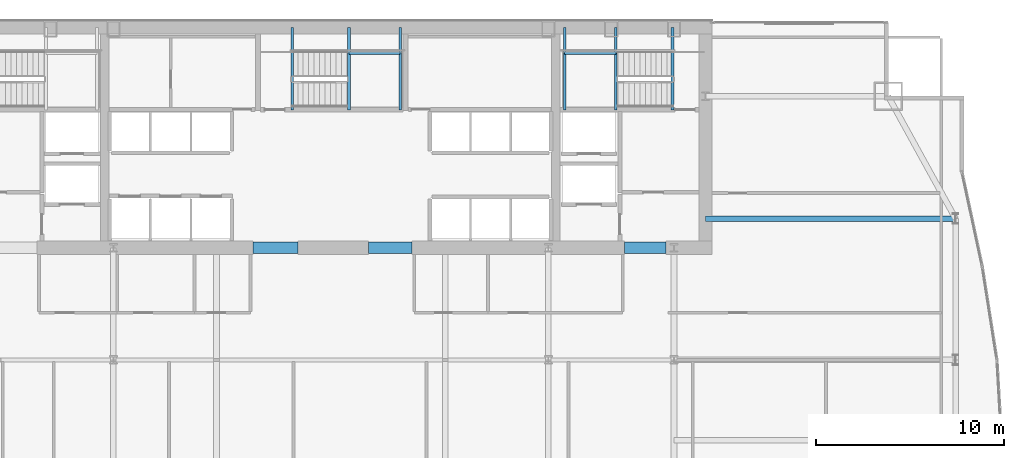
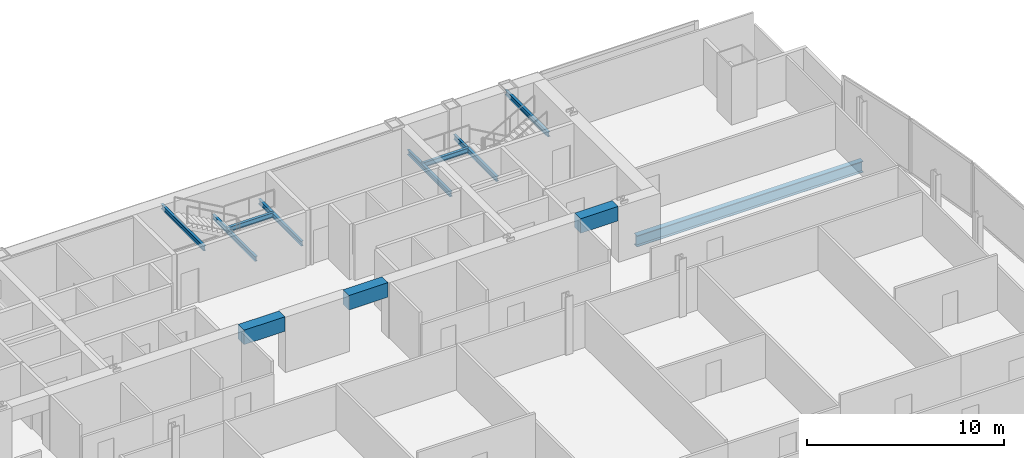
# One storey, part 19 of 32: 12 beams.
"""IFC4 building model written with IfcOpenShell, lengths in metres."""

from ifc_helpers import new_model, si_unit, direction, frame, origin, origin_2d, place, context, subcontext, project, spatial, rectangle, i_section, extrude, material, material_profile, profile_set, type_object, element, save


model = new_model("IFC4")

# Units and contexts
model_context = context("Model", 3, precision=1e-05, world=origin(), true_north=direction((0.0, 1.0)))
body_context = subcontext(model_context, "Body", "Model", "MODEL_VIEW")
ifc_project = project(units=[si_unit("LENGTHUNIT", "METRE"), si_unit("AREAUNIT", "SQUARE_METRE"), si_unit("VOLUMEUNIT", "CUBIC_METRE"), si_unit("PLANEANGLEUNIT", "RADIAN"), si_unit("MASSUNIT", "GRAM", prefix="KILO")], contexts=[model_context])

# Site, building, storey
site_placement = place(None, origin())
site = spatial("IfcSite", under=ifc_project, at=site_placement, CompositionType="ELEMENT")
building_placement = place(site_placement, origin())
building = spatial("IfcBuilding", under=site, at=building_placement, Name="Khoronbel Lancet Exchange", CompositionType="ELEMENT")
storey_placement = place(building_placement, frame((0.0, 0.0, 111.0)))
storey = spatial("IfcBuildingStorey", under=building, at=storey_placement, Name="L26", CompositionType="ELEMENT", Elevation=111.0)

# Beams
ifc_material_1 = material(Name="Steel S355", Category="steel")
ifc_material_profile_1 = material_profile(ifc_material_1, i_section(OverallWidth=0.300048828125, OverallDepth=0.699951171875, WebThickness=0.01708984375, FlangeThickness=0.031982421875, at=origin_2d()), Name="HEB 700")
ifc_profile_set_1 = profile_set([ifc_material_profile_1], Name="Steel S355")
beam_type_1 = type_object("IfcBeamType", Name="BM-BG3", PredefinedType="BEAM", material=ifc_profile_set_1)
beam_1_placement = place(storey_placement, frame((56.35009765625, 43.199951171875, -0.510009765625), z_axis=(1.0, 0.0, 0.0), x_axis=(0.0, 1.0, 0.0)))
element("IfcBeam", 1, at=beam_1_placement, inside=storey, type_object=beam_type_1, Name="Level L26 east lens tie girder LG3E", PredefinedType="BEAM", context=body_context, shape_type="SweptSolid", body=[
    extrude(i_section(OverallWidth=0.300048828125, OverallDepth=0.699951171875, WebThickness=0.01708984375, FlangeThickness=0.031982421875, at=origin_2d()), origin(), (0.0, 0.0, 1.0), 13.27978515625),
])
ifc_material_profile_2 = material_profile(ifc_material_1, i_section(OverallWidth=0.14990234375, OverallDepth=0.300048828125, WebThickness=0.007080078125, FlangeThickness=0.0107421875, at=origin_2d()), Name="IPE 300")
ifc_profile_set_2 = profile_set([ifc_material_profile_2], Name="Steel S355")
beam_type_2 = type_object("IfcBeamType", Name="BM-BJ8", PredefinedType="JOIST", material=ifc_profile_set_2)
for number, where, z_axis, x_axis, name in (
    (2, (51.580078125, 48.97998046875, 1.449951171875), (0.0, 1.0, 0.0), (-1.0, 0.0, 0.0), "Level L26 stair ST2 landing bearer beam 1"),
    (3, (48.8701171875, 48.97998046875, 1.449951171875), (0.0, 1.0, 0.0), (-1.0, 0.0, 0.0), "Level L26 stair ST2 rear landing bearer beam 1"),
):
    element("IfcBeam", number, at=place(storey_placement, frame(where, z_axis=z_axis, x_axis=x_axis)), inside=storey, type_object=beam_type_2, Name=name, PredefinedType="JOIST", context=body_context, shape_type="SweptSolid", body=[
        extrude(i_section(OverallWidth=0.14990234375, OverallDepth=0.300048828125, WebThickness=0.007080078125, FlangeThickness=0.0107421875, at=origin_2d()), origin(), (0.0, 0.0, 1.0), 4.3701171875),
    ])
beam_2_placement = place(storey_placement, frame((48.8701171875, 51.97998046875, 1.449951171875), z_axis=(1.0, 0.0, 0.0), x_axis=(0.0, 1.0, 0.0)))
element("IfcBeam", 4, at=beam_2_placement, inside=storey, type_object=beam_type_2, Name="Level L26 stair ST2 landing cross trimmer beam 1", PredefinedType="JOIST", context=body_context, shape_type="SweptSolid", body=[
    extrude(i_section(OverallWidth=0.14990234375, OverallDepth=0.300048828125, WebThickness=0.007080078125, FlangeThickness=0.0107421875, at=origin_2d()), origin(), (0.0, 0.0, 1.0), 2.7099609375),
])
for number, where, z_axis, x_axis, name in (
    (5, (54.60009765625, 48.97998046875, 3.159912109375), (0.0, 1.0, 0.0), (-1.0, 0.0, 0.0), "Level L26 stair ST2 upper-flight arrival trimmer beam"),
    (6, (37.419921875, 48.97998046875, 1.449951171875), (0.0, 1.0, 0.0), (-1.0, 0.0, 0.0), "Level L26 stair ST3 landing bearer beam 1"),
    (7, (40.1298828125, 48.97998046875, 1.449951171875), (0.0, 1.0, 0.0), (-1.0, 0.0, 0.0), "Level L26 stair ST3 rear landing bearer beam 1"),
):
    element("IfcBeam", number, at=place(storey_placement, frame(where, z_axis=z_axis, x_axis=x_axis)), inside=storey, type_object=beam_type_2, Name=name, PredefinedType="JOIST", context=body_context, shape_type="SweptSolid", body=[
        extrude(i_section(OverallWidth=0.14990234375, OverallDepth=0.300048828125, WebThickness=0.007080078125, FlangeThickness=0.0107421875, at=origin_2d()), origin(), (0.0, 0.0, 1.0), 4.3701171875),
    ])
beam_3_placement = place(storey_placement, frame((37.419921875, 51.97998046875, 1.449951171875), z_axis=(1.0, 0.0, 0.0), x_axis=(0.0, 1.0, 0.0)))
element("IfcBeam", 8, at=beam_3_placement, inside=storey, type_object=beam_type_2, Name="Level L26 stair ST3 landing cross trimmer beam 1", PredefinedType="JOIST", context=body_context, shape_type="SweptSolid", body=[
    extrude(i_section(OverallWidth=0.14990234375, OverallDepth=0.300048828125, WebThickness=0.007080078125, FlangeThickness=0.0107421875, at=origin_2d()), origin(), (0.0, 0.0, 1.0), 2.7099609375),
])
beam_4_placement = place(storey_placement, frame((34.39990234375, 48.97998046875, 3.159912109375), z_axis=(0.0, 1.0, 0.0), x_axis=(-1.0, 0.0, 0.0)))
element("IfcBeam", 9, at=beam_4_placement, inside=storey, type_object=beam_type_2, Name="Level L26 stair ST3 upper-flight arrival trimmer beam", PredefinedType="JOIST", context=body_context, shape_type="SweptSolid", body=[
    extrude(i_section(OverallWidth=0.14990234375, OverallDepth=0.300048828125, WebThickness=0.007080078125, FlangeThickness=0.0107421875, at=origin_2d()), origin(), (0.0, 0.0, 1.0), 4.3701171875),
])
ifc_material_2 = material(Name="Concrete C80/95", Category="concrete")
ifc_material_profile_3 = material_profile(ifc_material_2, rectangle(XDim=0.60009765625, YDim=0.89990234375, at=origin_2d()), Name="RC 600x900")
ifc_profile_set_3 = profile_set([ifc_material_profile_3], Name="Concrete C80/95")
beam_type_3 = type_object("IfcBeamType", Name="BM-BL1", PredefinedType="LINTEL", material=ifc_profile_set_3)
beam_5_placement = place(storey_placement, frame((32.300048828125, 41.64990234375, 2.989990234375), z_axis=(1.0, 0.0, 0.0), x_axis=(0.0, 1.0, 0.0)))
element("IfcBeam", 10, at=beam_5_placement, inside=storey, type_object=beam_type_3, Name="Level L26 rear core coupling lintel L2", PredefinedType="LINTEL", context=body_context, shape_type="SweptSolid", body=[
    extrude(rectangle(XDim=0.60009765625, YDim=0.89990234375, at=origin_2d()), origin(), (0.0, 0.0, 1.0), 2.39990234375),
])
beam_6_placement = place(storey_placement, frame((38.449951171875, 41.64990234375, 2.989990234375), z_axis=(1.0, 0.0, 0.0), x_axis=(0.0, 1.0, 0.0)))
element("IfcBeam", 11, at=beam_6_placement, inside=storey, type_object=beam_type_3, Name="Level L26 rear core coupling lintel L3", PredefinedType="LINTEL", context=body_context, shape_type="SweptSolid", body=[
    extrude(rectangle(XDim=0.60009765625, YDim=0.89990234375, at=origin_2d()), origin(), (0.0, 0.0, 1.0), 2.300048828125),
])
beam_7_placement = place(storey_placement, frame((52.050048828125, 41.64990234375, 2.989990234375), z_axis=(1.0, 0.0, 0.0), x_axis=(0.0, 1.0, 0.0)))
element("IfcBeam", 12, at=beam_7_placement, inside=storey, type_object=beam_type_3, Name="Level L26 rear core coupling lintel L4", PredefinedType="LINTEL", context=body_context, shape_type="SweptSolid", body=[
    extrude(rectangle(XDim=0.60009765625, YDim=0.89990234375, at=origin_2d()), origin(), (0.0, 0.0, 1.0), 2.199951171875),
])

save(model, "model.ifc")
